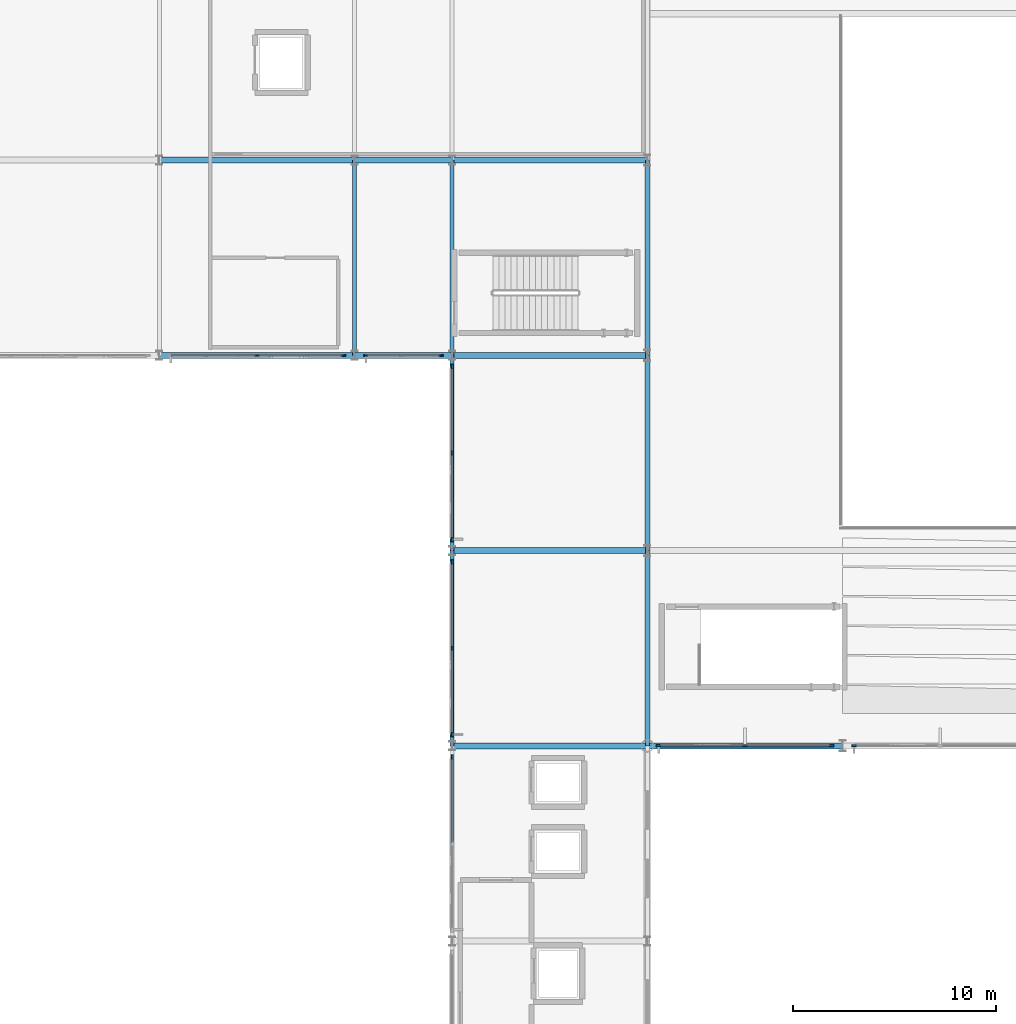
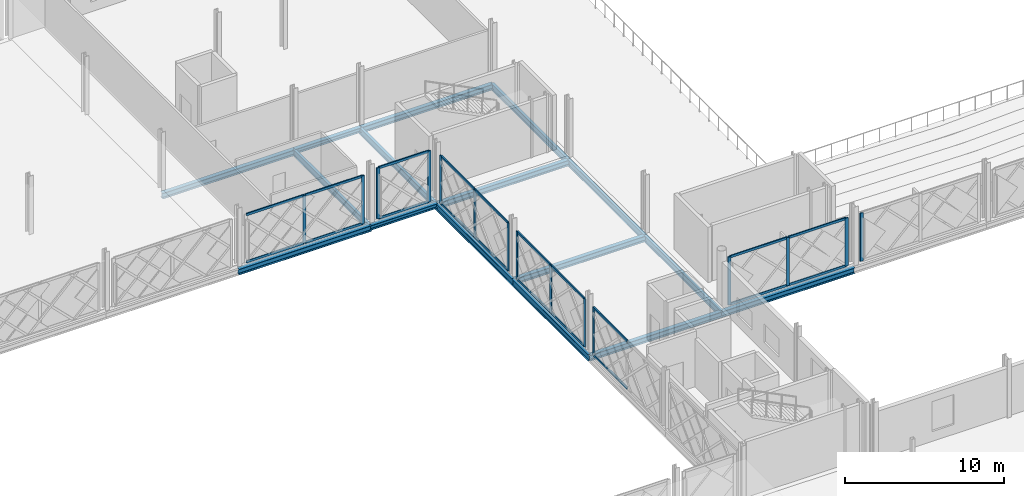
# One storey, part 48 of 101: 35 members, 16 beams, 7 elements without a shape of their own.
"""IFC4 building model written with IfcOpenShell, lengths in metres."""

from ifc_helpers import new_model, si_unit, direction, frame, origin, origin_2d, place, context, subcontext, project, spatial, rectangle, i_section, extrude, material, layer, layer_set, material_profile, profile_set, type_object, element, aggregate, save


model = new_model("IFC4")

# Units and contexts
model_context = context("Model", 3, precision=1e-05, world=origin(), true_north=direction((0.0, 1.0)))
body_context = subcontext(model_context, "Body", "Model", "MODEL_VIEW")
ifc_project = project(units=[si_unit("LENGTHUNIT", "METRE"), si_unit("AREAUNIT", "SQUARE_METRE"), si_unit("VOLUMEUNIT", "CUBIC_METRE"), si_unit("PLANEANGLEUNIT", "RADIAN"), si_unit("MASSUNIT", "GRAM", prefix="KILO")], contexts=[model_context])

# Site, building, storey
site_placement = place(None, origin())
site = spatial("IfcSite", under=ifc_project, at=site_placement, CompositionType="ELEMENT")
building_placement = place(site_placement, origin())
building = spatial("IfcBuilding", under=site, at=building_placement, Name="Zevrakil Square Congress Hotel", CompositionType="ELEMENT")
storey_placement = place(building_placement, frame((0.0, 0.0, 5.39990234375)))
storey = spatial("IfcBuildingStorey", under=building, at=storey_placement, Name="L02", CompositionType="ELEMENT", Elevation=5.39990234375)

# Beams
ifc_material_1 = material(Name="Steel S355", Category="steel")
ifc_material_profile_1 = material_profile(ifc_material_1, i_section(OverallWidth=0.300048828125, OverallDepth=0.35009765625, WebThickness=0.010009765625, FlangeThickness=0.017578125, FilletRadius=0.027099609375, at=origin_2d()), Name="HEA 360")
ifc_profile_set_1 = profile_set([ifc_material_profile_1], Name="Steel S355")
beam_type_1 = type_object("IfcBeamType", Name="BM-HEA360", PredefinedType="BEAM", material=ifc_profile_set_1)
for number, where, z_axis, x_axis, name in (
    (1, (103.199951171875, 84.0, -0.434814453125), (1.0, 0.0, 0.0), (0.0, 1.0, 0.0), "L02 primary girder BX-0776"),
    (2, (103.199951171875, 93.60009765625, -0.434814453125), (1.0, 0.0, 0.0), (0.0, 1.0, 0.0), "L02 primary girder BX-0786"),
):
    element("IfcBeam", number, at=place(storey_placement, frame(where, z_axis=z_axis, x_axis=x_axis)), inside=storey, type_object=beam_type_1, Name=name, PredefinedType="BEAM", context=body_context, shape_type="SweptSolid", body=[
        extrude(i_section(OverallWidth=0.300048828125, OverallDepth=0.35009765625, WebThickness=0.010009765625, FlangeThickness=0.017578125, FilletRadius=0.027099609375, at=origin_2d()), origin(), (0.0, 0.0, 1.0), 4.800048828125),
    ])
ifc_material_2 = material(Name="Steel S355", Category="steel")
ifc_material_profile_2 = material_profile(ifc_material_2, i_section(OverallWidth=0.300048828125, OverallDepth=0.43994140625, WebThickness=0.011474609375, FlangeThickness=0.02099609375, FilletRadius=0.027099609375, at=origin_2d()), Name="HEA 450")
ifc_profile_set_2 = profile_set([ifc_material_profile_2], Name="Steel S355")
beam_type_2 = type_object("IfcBeamType", Name="BM-HEA450", PredefinedType="BEAM", material=ifc_profile_set_2)
beam_1_placement = place(storey_placement, frame((108.0, 64.800048828125, -0.47998046875), z_axis=(1.0, 0.0, 0.0), x_axis=(0.0, 1.0, 0.0)))
element("IfcBeam", 3, at=beam_1_placement, inside=storey, type_object=beam_type_2, Name="L02 primary girder BX-0753", PredefinedType="BEAM", context=body_context, shape_type="SweptSolid", body=[
    extrude(i_section(OverallWidth=0.300048828125, OverallDepth=0.43994140625, WebThickness=0.011474609375, FlangeThickness=0.02099609375, FilletRadius=0.027099609375, at=origin_2d()), origin(), (0.0, 0.0, 1.0), 9.60009765625),
])
beam_2_placement = place(storey_placement, frame((117.60009765625, 64.800048828125, -0.47998046875), z_axis=(1.0, 0.0, 0.0), x_axis=(0.0, 1.0, 0.0)))
element("IfcBeam", 4, at=beam_2_placement, inside=storey, type_object=beam_type_2, Name="L02 primary girder BX-0754", PredefinedType="BEAM", context=body_context, shape_type="SweptSolid", body=[
    extrude(i_section(OverallWidth=0.300048828125, OverallDepth=0.43994140625, WebThickness=0.011474609375, FlangeThickness=0.02099609375, FilletRadius=0.027099609375, at=origin_2d()), origin(), (0.0, 0.0, 1.0), 9.599853515625),
])
beam_3_placement = place(storey_placement, frame((108.0, 74.39990234375, -0.47998046875), z_axis=(1.0, 0.0, 0.0), x_axis=(0.0, 1.0, 0.0)))
element("IfcBeam", 5, at=beam_3_placement, inside=storey, type_object=beam_type_2, Name="L02 primary girder BX-0767", PredefinedType="BEAM", context=body_context, shape_type="SweptSolid", body=[
    extrude(i_section(OverallWidth=0.300048828125, OverallDepth=0.43994140625, WebThickness=0.011474609375, FlangeThickness=0.02099609375, FilletRadius=0.027099609375, at=origin_2d()), origin(), (0.0, 0.0, 1.0), 9.60009765625),
])
beam_4_placement = place(storey_placement, frame((93.60009765625, 84.0, -0.47998046875), z_axis=(1.0, 0.0, 0.0), x_axis=(0.0, 1.0, 0.0)))
element("IfcBeam", 6, at=beam_4_placement, inside=storey, type_object=beam_type_2, Name="L02 primary girder BX-0775", PredefinedType="BEAM", context=body_context, shape_type="SweptSolid", body=[
    extrude(i_section(OverallWidth=0.300048828125, OverallDepth=0.43994140625, WebThickness=0.011474609375, FlangeThickness=0.02099609375, FilletRadius=0.027099609375, at=origin_2d()), origin(), (0.0, 0.0, 1.0), 9.599853515625),
])
beam_5_placement = place(storey_placement, frame((108.0, 84.0, -0.47998046875), z_axis=(1.0, 0.0, 0.0), x_axis=(0.0, 1.0, 0.0)))
element("IfcBeam", 7, at=beam_5_placement, inside=storey, type_object=beam_type_2, Name="L02 primary girder BX-0777", PredefinedType="BEAM", context=body_context, shape_type="SweptSolid", body=[
    extrude(i_section(OverallWidth=0.300048828125, OverallDepth=0.43994140625, WebThickness=0.011474609375, FlangeThickness=0.02099609375, FilletRadius=0.027099609375, at=origin_2d()), origin(), (0.0, 0.0, 1.0), 9.60009765625),
])
beam_6_placement = place(storey_placement, frame((93.60009765625, 93.60009765625, -0.47998046875), z_axis=(1.0, 0.0, 0.0), x_axis=(0.0, 1.0, 0.0)))
element("IfcBeam", 8, at=beam_6_placement, inside=storey, type_object=beam_type_2, Name="L02 primary girder BX-0785", PredefinedType="BEAM", context=body_context, shape_type="SweptSolid", body=[
    extrude(i_section(OverallWidth=0.300048828125, OverallDepth=0.43994140625, WebThickness=0.011474609375, FlangeThickness=0.02099609375, FilletRadius=0.027099609375, at=origin_2d()), origin(), (0.0, 0.0, 1.0), 9.599853515625),
])
beam_7_placement = place(storey_placement, frame((108.0, 93.60009765625, -0.47998046875), z_axis=(1.0, 0.0, 0.0), x_axis=(0.0, 1.0, 0.0)))
element("IfcBeam", 9, at=beam_7_placement, inside=storey, type_object=beam_type_2, Name="L02 primary girder BX-0787", PredefinedType="BEAM", context=body_context, shape_type="SweptSolid", body=[
    extrude(i_section(OverallWidth=0.300048828125, OverallDepth=0.43994140625, WebThickness=0.011474609375, FlangeThickness=0.02099609375, FilletRadius=0.027099609375, at=origin_2d()), origin(), (0.0, 0.0, 1.0), 9.60009765625),
])
ifc_material_3 = material(Name="Steel S355", Category="steel")
ifc_material_profile_3 = material_profile(ifc_material_3, i_section(OverallWidth=0.199951171875, OverallDepth=0.5, WebThickness=0.01025390625, FlangeThickness=0.01611328125, FilletRadius=0.02099609375, at=origin_2d()), Name="IPE 500")
ifc_profile_set_3 = profile_set([ifc_material_profile_3], Name="Steel S355")
beam_type_3 = type_object("IfcBeamType", Name="BM-IPE500", PredefinedType="BEAM", material=ifc_profile_set_3)
beam_8_placement = place(storey_placement, frame((103.199951171875, 84.0, -0.510009765625), z_axis=(0.0, 1.0, 0.0), x_axis=(-1.0, 0.0, 0.0)))
element("IfcBeam", 10, at=beam_8_placement, inside=storey, type_object=beam_type_3, Name="L02 primary girder BY-0905", PredefinedType="BEAM", context=body_context, shape_type="SweptSolid", body=[
    extrude(i_section(OverallWidth=0.199951171875, OverallDepth=0.5, WebThickness=0.01025390625, FlangeThickness=0.01611328125, FilletRadius=0.02099609375, at=origin_2d()), origin(), (0.0, 0.0, 1.0), 9.60009765625),
])
beam_9_placement = place(storey_placement, frame((108.0, 64.800048828125, -0.510009765625), z_axis=(0.0, 1.0, 0.0), x_axis=(-1.0, 0.0, 0.0)))
element("IfcBeam", 11, at=beam_9_placement, inside=storey, type_object=beam_type_3, Name="L02 primary girder BY-0915", PredefinedType="BEAM", context=body_context, shape_type="SweptSolid", body=[
    extrude(i_section(OverallWidth=0.199951171875, OverallDepth=0.5, WebThickness=0.01025390625, FlangeThickness=0.01611328125, FilletRadius=0.02099609375, at=origin_2d()), origin(), (0.0, 0.0, 1.0), 9.599853515625),
])
for number, where, z_axis, x_axis, name in (
    (12, (108.0, 74.39990234375, -0.510009765625), (0.0, 1.0, 0.0), (-1.0, 0.0, 0.0), "L02 primary girder BY-0916"),
    (13, (108.0, 84.0, -0.510009765625), (0.0, 1.0, 0.0), (-1.0, 0.0, 0.0), "L02 primary girder BY-0917"),
):
    element("IfcBeam", number, at=place(storey_placement, frame(where, z_axis=z_axis, x_axis=x_axis)), inside=storey, type_object=beam_type_3, Name=name, PredefinedType="BEAM", context=body_context, shape_type="SweptSolid", body=[
        extrude(i_section(OverallWidth=0.199951171875, OverallDepth=0.5, WebThickness=0.01025390625, FlangeThickness=0.01611328125, FilletRadius=0.02099609375, at=origin_2d()), origin(), (0.0, 0.0, 1.0), 9.60009765625),
    ])
beam_10_placement = place(storey_placement, frame((117.60009765625, 64.800048828125, -0.510009765625), z_axis=(0.0, 1.0, 0.0), x_axis=(-1.0, 0.0, 0.0)))
element("IfcBeam", 14, at=beam_10_placement, inside=storey, type_object=beam_type_3, Name="L02 primary girder BY-0927", PredefinedType="BEAM", context=body_context, shape_type="SweptSolid", body=[
    extrude(i_section(OverallWidth=0.199951171875, OverallDepth=0.5, WebThickness=0.01025390625, FlangeThickness=0.01611328125, FilletRadius=0.02099609375, at=origin_2d()), origin(), (0.0, 0.0, 1.0), 9.599853515625),
])
for number, where, z_axis, x_axis, name in (
    (15, (117.60009765625, 74.39990234375, -0.510009765625), (0.0, 1.0, 0.0), (-1.0, 0.0, 0.0), "L02 primary girder BY-0928"),
    (16, (117.60009765625, 84.0, -0.510009765625), (0.0, 1.0, 0.0), (-1.0, 0.0, 0.0), "L02 primary girder BY-0929"),
):
    element("IfcBeam", number, at=place(storey_placement, frame(where, z_axis=z_axis, x_axis=x_axis)), inside=storey, type_object=beam_type_3, Name=name, PredefinedType="BEAM", context=body_context, shape_type="SweptSolid", body=[
        extrude(i_section(OverallWidth=0.199951171875, OverallDepth=0.5, WebThickness=0.01025390625, FlangeThickness=0.01611328125, FilletRadius=0.02099609375, at=origin_2d()), origin(), (0.0, 0.0, 1.0), 9.60009765625),
    ])

# Curtain wall, members
ifc_material_4 = material(Name="Aluminium Anodised Bronze", Category="aluminium")
ifc_layer_1 = layer(ifc_material_4, 0.179931640625)
ifc_layer_set_1 = layer_set([ifc_layer_1], Name="Aluminium Anodised Bronze")
curtain_wall_type_1 = type_object("IfcCurtainWallType", Name="CW-L02-840", PredefinedType="USERDEFINED", material=ifc_layer_set_1)
curtain_wall_1_placement = place(storey_placement, origin())
curtain_wall_1 = element("IfcCurtainWall", 17, at=curtain_wall_1_placement, inside=storey, type_object=curtain_wall_type_1, Name="L02 diamond curtain wall CW-L02-0057", ObjectType="GLAZED CURTAIN WALL", PredefinedType="USERDEFINED")
ifc_material_5 = material(Name="Aluminium Anodised Bronze", Category="aluminium")
ifc_material_profile_4 = material_profile(ifc_material_5, rectangle(XDim=0.0849609375, YDim=0.179931640625, at=origin_2d()), Name="ALU 85x180")
ifc_profile_set_4 = profile_set([ifc_material_profile_4], Name="Aluminium Anodised Bronze")
member_type_1 = type_object("IfcMemberType", Name="CWM-ALU85x180", PredefinedType="USERDEFINED", material=ifc_profile_set_4)
member_1_placement = place(storey_placement, frame((118.179931640625, 64.800048828125, 0.030029296875), z_axis=(1.0, 0.0, 0.0), x_axis=(0.0, 1.0, 0.0)))
member_1 = element("IfcMember", 18, at=member_1_placement, type_object=member_type_1, Name="CW-23 transom 1.1", ObjectType="TRANSOM", PredefinedType="USERDEFINED", context=body_context, shape_type="SweptSolid", body=[
    extrude(rectangle(XDim=0.0849609375, YDim=0.179931640625, at=origin_2d()), origin(), (0.0, 0.0, 1.0), 4.190185546875),
])
member_2_placement = place(storey_placement, frame((118.179931640625, 64.800048828125, 3.655029296875), z_axis=(1.0, 0.0, 0.0), x_axis=(0.0, 1.0, 0.0)))
member_2 = element("IfcMember", 19, at=member_2_placement, type_object=member_type_1, Name="CW-23 transom 1.2", ObjectType="TRANSOM", PredefinedType="USERDEFINED", context=body_context, shape_type="SweptSolid", body=[
    extrude(rectangle(XDim=0.0849609375, YDim=0.179931640625, at=origin_2d()), origin(), (0.0, 0.0, 1.0), 4.190185546875),
])
member_3_placement = place(storey_placement, frame((122.429931640625, 64.800048828125, 0.030029296875), z_axis=(1.0, 0.0, 0.0), x_axis=(0.0, 1.0, 0.0)))
member_3 = element("IfcMember", 20, at=member_3_placement, type_object=member_type_1, Name="CW-23 transom 2.1", ObjectType="TRANSOM", PredefinedType="USERDEFINED", context=body_context, shape_type="SweptSolid", body=[
    extrude(rectangle(XDim=0.0849609375, YDim=0.179931640625, at=origin_2d()), origin(), (0.0, 0.0, 1.0), 4.190185546875),
])
member_4_placement = place(storey_placement, frame((122.429931640625, 64.800048828125, 3.655029296875), z_axis=(1.0, 0.0, 0.0), x_axis=(0.0, 1.0, 0.0)))
member_4 = element("IfcMember", 21, at=member_4_placement, type_object=member_type_1, Name="CW-23 transom 2.2", ObjectType="TRANSOM", PredefinedType="USERDEFINED", context=body_context, shape_type="SweptSolid", body=[
    extrude(rectangle(XDim=0.0849609375, YDim=0.179931640625, at=origin_2d()), origin(), (0.0, 0.0, 1.0), 4.190185546875),
])

curtain_wall_2_placement = place(storey_placement, origin())
curtain_wall_2 = element("IfcCurtainWall", 22, at=curtain_wall_2_placement, inside=storey, type_object=curtain_wall_type_1, Name="L02 diamond curtain wall CW-L02-0113", ObjectType="GLAZED CURTAIN WALL", PredefinedType="USERDEFINED")
member_5_placement = place(storey_placement, frame((94.179931640625, 84.0, 0.030029296875), z_axis=(1.0, 0.0, 0.0), x_axis=(0.0, 1.0, 0.0)))
member_5 = element("IfcMember", 23, at=member_5_placement, type_object=member_type_1, Name="CW-23 transom 1.1", ObjectType="TRANSOM", PredefinedType="USERDEFINED", context=body_context, shape_type="SweptSolid", body=[
    extrude(rectangle(XDim=0.0849609375, YDim=0.179931640625, at=origin_2d()), origin(), (0.0, 0.0, 1.0), 4.190185546875),
])
member_6_placement = place(storey_placement, frame((94.179931640625, 84.0, 3.655029296875), z_axis=(1.0, 0.0, 0.0), x_axis=(0.0, 1.0, 0.0)))
member_6 = element("IfcMember", 24, at=member_6_placement, type_object=member_type_1, Name="CW-23 transom 1.2", ObjectType="TRANSOM", PredefinedType="USERDEFINED", context=body_context, shape_type="SweptSolid", body=[
    extrude(rectangle(XDim=0.0849609375, YDim=0.179931640625, at=origin_2d()), origin(), (0.0, 0.0, 1.0), 4.190185546875),
])
member_7_placement = place(storey_placement, frame((98.429931640625, 84.0, 0.030029296875), z_axis=(1.0, 0.0, 0.0), x_axis=(0.0, 1.0, 0.0)))
member_7 = element("IfcMember", 25, at=member_7_placement, type_object=member_type_1, Name="CW-23 transom 2.1", ObjectType="TRANSOM", PredefinedType="USERDEFINED", context=body_context, shape_type="SweptSolid", body=[
    extrude(rectangle(XDim=0.0849609375, YDim=0.179931640625, at=origin_2d()), origin(), (0.0, 0.0, 1.0), 4.190185546875),
])
member_8_placement = place(storey_placement, frame((98.429931640625, 84.0, 3.655029296875), z_axis=(1.0, 0.0, 0.0), x_axis=(0.0, 1.0, 0.0)))
member_8 = element("IfcMember", 26, at=member_8_placement, type_object=member_type_1, Name="CW-23 transom 2.2", ObjectType="TRANSOM", PredefinedType="USERDEFINED", context=body_context, shape_type="SweptSolid", body=[
    extrude(rectangle(XDim=0.0849609375, YDim=0.179931640625, at=origin_2d()), origin(), (0.0, 0.0, 1.0), 4.190185546875),
])

ifc_material_6 = material(Name="Aluminium Anodised Bronze", Category="aluminium")
ifc_layer_2 = layer(ifc_material_6, 0.179931640625)
ifc_layer_set_2 = layer_set([ifc_layer_2], Name="Aluminium Anodised Bronze")
curtain_wall_type_2 = type_object("IfcCurtainWallType", Name="CW-L02-360", PredefinedType="USERDEFINED", material=ifc_layer_set_2)
curtain_wall_3_placement = place(storey_placement, origin())
curtain_wall_3 = element("IfcCurtainWall", 27, at=curtain_wall_3_placement, inside=storey, type_object=curtain_wall_type_2, Name="L02 diamond curtain wall CW-L02-0117", ObjectType="GLAZED CURTAIN WALL", PredefinedType="USERDEFINED")
member_9_placement = place(storey_placement, frame((103.780029296875, 84.0, 0.030029296875), z_axis=(1.0, 0.0, 0.0), x_axis=(0.0, 1.0, 0.0)))
member_9 = element("IfcMember", 28, at=member_9_placement, type_object=member_type_1, Name="CW-16 transom 1.1", ObjectType="TRANSOM", PredefinedType="USERDEFINED", context=body_context, shape_type="SweptSolid", body=[
    extrude(rectangle(XDim=0.0849609375, YDim=0.179931640625, at=origin_2d()), origin(), (0.0, 0.0, 1.0), 3.639892578125),
])
member_10_placement = place(storey_placement, frame((103.780029296875, 84.0, 3.885009765625), z_axis=(1.0, 0.0, 0.0), x_axis=(0.0, 1.0, 0.0)))
member_10 = element("IfcMember", 29, at=member_10_placement, type_object=member_type_1, Name="CW-16 transom 1.2", ObjectType="TRANSOM", PredefinedType="USERDEFINED", context=body_context, shape_type="SweptSolid", body=[
    extrude(rectangle(XDim=0.0849609375, YDim=0.179931640625, at=origin_2d()), origin(), (0.0, 0.0, 1.0), 3.639892578125),
])

curtain_wall_4_placement = place(storey_placement, origin())
curtain_wall_4 = element("IfcCurtainWall", 30, at=curtain_wall_4_placement, inside=storey, type_object=curtain_wall_type_1, Name="L02 diamond curtain wall CW-L02-0129", ObjectType="GLAZED CURTAIN WALL", PredefinedType="USERDEFINED")
member_11_placement = place(storey_placement, frame((108.0, 60.030029296875, 0.030029296875), z_axis=(0.0, 1.0, 0.0), x_axis=(-1.0, 0.0, 0.0)))
member_11 = element("IfcMember", 31, at=member_11_placement, type_object=member_type_1, Name="CW-23 transom 2.1", ObjectType="TRANSOM", PredefinedType="USERDEFINED", context=body_context, shape_type="SweptSolid", body=[
    extrude(rectangle(XDim=0.0849609375, YDim=0.179931640625, at=origin_2d()), origin(), (0.0, 0.0, 1.0), 4.18994140625),
])
member_12_placement = place(storey_placement, frame((108.0, 60.030029296875, 3.64501953125), z_axis=(0.0, 1.0, 0.0), x_axis=(-1.0, 0.0, 0.0)))
member_12 = element("IfcMember", 32, at=member_12_placement, type_object=member_type_1, Name="CW-23 transom 2.2", ObjectType="TRANSOM", PredefinedType="USERDEFINED", context=body_context, shape_type="SweptSolid", body=[
    extrude(rectangle(XDim=0.0849609375, YDim=0.179931640625, at=origin_2d()), origin(), (0.0, 0.0, 1.0), 4.18994140625),
])

curtain_wall_5_placement = place(storey_placement, origin())
curtain_wall_5 = element("IfcCurtainWall", 33, at=curtain_wall_5_placement, inside=storey, type_object=curtain_wall_type_1, Name="L02 diamond curtain wall CW-L02-0135", ObjectType="GLAZED CURTAIN WALL", PredefinedType="USERDEFINED")
member_13_placement = place(storey_placement, frame((108.0, 65.3798828125, 0.030029296875), z_axis=(0.0, 1.0, 0.0), x_axis=(-1.0, 0.0, 0.0)))
member_13 = element("IfcMember", 34, at=member_13_placement, type_object=member_type_1, Name="CW-23 transom 1.1", ObjectType="TRANSOM", PredefinedType="USERDEFINED", context=body_context, shape_type="SweptSolid", body=[
    extrude(rectangle(XDim=0.0849609375, YDim=0.179931640625, at=origin_2d()), origin(), (0.0, 0.0, 1.0), 4.190185546875),
])
member_14_placement = place(storey_placement, frame((108.0, 65.3798828125, 3.64501953125), z_axis=(0.0, 1.0, 0.0), x_axis=(-1.0, 0.0, 0.0)))
member_14 = element("IfcMember", 35, at=member_14_placement, type_object=member_type_1, Name="CW-23 transom 1.2", ObjectType="TRANSOM", PredefinedType="USERDEFINED", context=body_context, shape_type="SweptSolid", body=[
    extrude(rectangle(XDim=0.0849609375, YDim=0.179931640625, at=origin_2d()), origin(), (0.0, 0.0, 1.0), 4.190185546875),
])
member_15_placement = place(storey_placement, frame((108.0, 69.6298828125, 0.030029296875), z_axis=(0.0, 1.0, 0.0), x_axis=(-1.0, 0.0, 0.0)))
member_15 = element("IfcMember", 36, at=member_15_placement, type_object=member_type_1, Name="CW-23 transom 2.1", ObjectType="TRANSOM", PredefinedType="USERDEFINED", context=body_context, shape_type="SweptSolid", body=[
    extrude(rectangle(XDim=0.0849609375, YDim=0.179931640625, at=origin_2d()), origin(), (0.0, 0.0, 1.0), 4.190185546875),
])
member_16_placement = place(storey_placement, frame((108.0, 69.6298828125, 3.64501953125), z_axis=(0.0, 1.0, 0.0), x_axis=(-1.0, 0.0, 0.0)))
member_16 = element("IfcMember", 37, at=member_16_placement, type_object=member_type_1, Name="CW-23 transom 2.2", ObjectType="TRANSOM", PredefinedType="USERDEFINED", context=body_context, shape_type="SweptSolid", body=[
    extrude(rectangle(XDim=0.0849609375, YDim=0.179931640625, at=origin_2d()), origin(), (0.0, 0.0, 1.0), 4.190185546875),
])

curtain_wall_6_placement = place(storey_placement, origin())
curtain_wall_6 = element("IfcCurtainWall", 38, at=curtain_wall_6_placement, inside=storey, type_object=curtain_wall_type_1, Name="L02 diamond curtain wall CW-L02-0141", ObjectType="GLAZED CURTAIN WALL", PredefinedType="USERDEFINED")
member_17_placement = place(storey_placement, frame((108.0, 74.97998046875, 0.030029296875), z_axis=(0.0, 1.0, 0.0), x_axis=(-1.0, 0.0, 0.0)))
member_17 = element("IfcMember", 39, at=member_17_placement, type_object=member_type_1, Name="CW-23 transom 1.1", ObjectType="TRANSOM", PredefinedType="USERDEFINED", context=body_context, shape_type="SweptSolid", body=[
    extrude(rectangle(XDim=0.0849609375, YDim=0.179931640625, at=origin_2d()), origin(), (0.0, 0.0, 1.0), 4.18994140625),
])
member_18_placement = place(storey_placement, frame((108.0, 74.97998046875, 3.64501953125), z_axis=(0.0, 1.0, 0.0), x_axis=(-1.0, 0.0, 0.0)))
member_18 = element("IfcMember", 40, at=member_18_placement, type_object=member_type_1, Name="CW-23 transom 1.2", ObjectType="TRANSOM", PredefinedType="USERDEFINED", context=body_context, shape_type="SweptSolid", body=[
    extrude(rectangle(XDim=0.0849609375, YDim=0.179931640625, at=origin_2d()), origin(), (0.0, 0.0, 1.0), 4.18994140625),
])
member_19_placement = place(storey_placement, frame((108.0, 79.22998046875, 0.030029296875), z_axis=(0.0, 1.0, 0.0), x_axis=(-1.0, 0.0, 0.0)))
member_19 = element("IfcMember", 41, at=member_19_placement, type_object=member_type_1, Name="CW-23 transom 2.1", ObjectType="TRANSOM", PredefinedType="USERDEFINED", context=body_context, shape_type="SweptSolid", body=[
    extrude(rectangle(XDim=0.0849609375, YDim=0.179931640625, at=origin_2d()), origin(), (0.0, 0.0, 1.0), 4.18994140625),
])
member_20_placement = place(storey_placement, frame((108.0, 79.22998046875, 3.64501953125), z_axis=(0.0, 1.0, 0.0), x_axis=(-1.0, 0.0, 0.0)))
member_20 = element("IfcMember", 42, at=member_20_placement, type_object=member_type_1, Name="CW-23 transom 2.2", ObjectType="TRANSOM", PredefinedType="USERDEFINED", context=body_context, shape_type="SweptSolid", body=[
    extrude(rectangle(XDim=0.0849609375, YDim=0.179931640625, at=origin_2d()), origin(), (0.0, 0.0, 1.0), 4.18994140625),
])

# Member
ifc_material_7 = material(Name="Aluminium Anodised Bronze", Category="aluminium")
ifc_material_profile_5 = material_profile(ifc_material_7, rectangle(XDim=0.0849609375, YDim=0.219970703125, at=origin_2d()), Name="ALU 85x220")
ifc_profile_set_5 = profile_set([ifc_material_profile_5], Name="Aluminium Anodised Bronze")
member_type_2 = type_object("IfcMemberType", Name="CWM-ALU85x220", PredefinedType="MULLION", material=ifc_profile_set_5)
member_21_placement = place(storey_placement, frame((118.14990234375, 64.800048828125, 0.0), z_axis=(0.0, 0.0, 1.0), x_axis=(0.0, 1.0, 0.0)))
member_21 = element("IfcMember", 43, at=member_21_placement, type_object=member_type_2, Name="CW-23 mullion 1", PredefinedType="MULLION", context=body_context, shape_type="SweptSolid", body=[
    extrude(rectangle(XDim=0.0849609375, YDim=0.219970703125, at=origin_2d()), origin(), (0.0, 0.0, 1.0), 3.68505859375),
])

member_22_placement = place(storey_placement, frame((122.39990234375, 64.800048828125, 0.0), z_axis=(0.0, 0.0, 1.0), x_axis=(0.0, 1.0, 0.0)))
member_22 = element("IfcMember", 44, at=member_22_placement, type_object=member_type_2, Name="CW-23 mullion 2", PredefinedType="MULLION", context=body_context, shape_type="SweptSolid", body=[
    extrude(rectangle(XDim=0.0849609375, YDim=0.219970703125, at=origin_2d()), origin(), (0.0, 0.0, 1.0), 3.68505859375),
])

member_23_placement = place(storey_placement, frame((126.64990234375, 64.800048828125, 0.0), z_axis=(0.0, 0.0, 1.0), x_axis=(0.0, 1.0, 0.0)))
member_23 = element("IfcMember", 45, at=member_23_placement, type_object=member_type_2, Name="CW-23 mullion 3", PredefinedType="MULLION", context=body_context, shape_type="SweptSolid", body=[
    extrude(rectangle(XDim=0.0849609375, YDim=0.219970703125, at=origin_2d()), origin(), (0.0, 0.0, 1.0), 3.68505859375),
])

aggregate(curtain_wall_1, [member_21, member_22, member_23, member_1, member_2, member_3, member_4])

# Curtain wall, member
curtain_wall_7_placement = place(storey_placement, origin())
curtain_wall_7 = element("IfcCurtainWall", 46, at=curtain_wall_7_placement, inside=storey, type_object=curtain_wall_type_1, Name="L02 diamond curtain wall CW-L02-0059", ObjectType="GLAZED CURTAIN WALL", PredefinedType="USERDEFINED")
member_24_placement = place(storey_placement, frame((127.75, 64.800048828125, 0.0), z_axis=(0.0, 0.0, 1.0), x_axis=(0.0, 1.0, 0.0)))
member_24 = element("IfcMember", 47, at=member_24_placement, type_object=member_type_2, Name="CW-23 mullion 1", PredefinedType="MULLION", context=body_context, shape_type="SweptSolid", body=[
    extrude(rectangle(XDim=0.0849609375, YDim=0.219970703125, at=origin_2d()), origin(), (0.0, 0.0, 1.0), 3.68505859375),
])
aggregate(curtain_wall_7, [member_24])

# Member
member_25_placement = place(storey_placement, frame((98.39990234375, 84.0, 0.0), z_axis=(0.0, 0.0, 1.0), x_axis=(0.0, 1.0, 0.0)))
member_25 = element("IfcMember", 48, at=member_25_placement, type_object=member_type_2, Name="CW-23 mullion 2", PredefinedType="MULLION", context=body_context, shape_type="SweptSolid", body=[
    extrude(rectangle(XDim=0.0849609375, YDim=0.219970703125, at=origin_2d()), origin(), (0.0, 0.0, 1.0), 3.68505859375),
])

member_26_placement = place(storey_placement, frame((102.64990234375, 84.0, 0.0), z_axis=(0.0, 0.0, 1.0), x_axis=(0.0, 1.0, 0.0)))
member_26 = element("IfcMember", 49, at=member_26_placement, type_object=member_type_2, Name="CW-23 mullion 3", PredefinedType="MULLION", context=body_context, shape_type="SweptSolid", body=[
    extrude(rectangle(XDim=0.0849609375, YDim=0.219970703125, at=origin_2d()), origin(), (0.0, 0.0, 1.0), 3.68505859375),
])

aggregate(curtain_wall_2, [member_25, member_26, member_5, member_6, member_7, member_8])

member_27_placement = place(storey_placement, frame((103.75, 84.0, 0.0), z_axis=(0.0, 0.0, 1.0), x_axis=(0.0, 1.0, 0.0)))
member_27 = element("IfcMember", 50, at=member_27_placement, type_object=member_type_2, Name="CW-16 mullion 1", PredefinedType="MULLION", context=body_context, shape_type="SweptSolid", body=[
    extrude(rectangle(XDim=0.0849609375, YDim=0.219970703125, at=origin_2d()), origin(), (0.0, 0.0, 1.0), 3.9150390625),
])

member_28_placement = place(storey_placement, frame((107.449951171875, 84.0, 0.0), z_axis=(0.0, 0.0, 1.0), x_axis=(0.0, 1.0, 0.0)))
member_28 = element("IfcMember", 51, at=member_28_placement, type_object=member_type_2, Name="CW-16 mullion 2", PredefinedType="MULLION", context=body_context, shape_type="SweptSolid", body=[
    extrude(rectangle(XDim=0.0849609375, YDim=0.219970703125, at=origin_2d()), origin(), (0.0, 0.0, 1.0), 3.9150390625),
])

aggregate(curtain_wall_3, [member_27, member_28, member_9, member_10])

member_29_placement = place(storey_placement, frame((108.0, 64.25, 0.0), z_axis=(0.0, 0.0, 1.0), x_axis=(-1.0, 0.0, 0.0)))
member_29 = element("IfcMember", 52, at=member_29_placement, type_object=member_type_2, Name="CW-23 mullion 3", PredefinedType="MULLION", context=body_context, shape_type="SweptSolid", body=[
    extrude(rectangle(XDim=0.0849609375, YDim=0.219970703125, at=origin_2d()), origin(), (0.0, 0.0, 1.0), 3.675048828125),
])

aggregate(curtain_wall_4, [member_29, member_11, member_12])

member_30_placement = place(storey_placement, frame((108.0, 65.35009765625, 0.0), z_axis=(0.0, 0.0, 1.0), x_axis=(-1.0, 0.0, 0.0)))
member_30 = element("IfcMember", 53, at=member_30_placement, type_object=member_type_2, Name="CW-23 mullion 1", PredefinedType="MULLION", context=body_context, shape_type="SweptSolid", body=[
    extrude(rectangle(XDim=0.0849609375, YDim=0.219970703125, at=origin_2d()), origin(), (0.0, 0.0, 1.0), 3.675048828125),
])

member_31_placement = place(storey_placement, frame((108.0, 69.60009765625, 0.0), z_axis=(0.0, 0.0, 1.0), x_axis=(-1.0, 0.0, 0.0)))
member_31 = element("IfcMember", 54, at=member_31_placement, type_object=member_type_2, Name="CW-23 mullion 2", PredefinedType="MULLION", context=body_context, shape_type="SweptSolid", body=[
    extrude(rectangle(XDim=0.0849609375, YDim=0.219970703125, at=origin_2d()), origin(), (0.0, 0.0, 1.0), 3.675048828125),
])

member_32_placement = place(storey_placement, frame((108.0, 73.85009765625, 0.0), z_axis=(0.0, 0.0, 1.0), x_axis=(-1.0, 0.0, 0.0)))
member_32 = element("IfcMember", 55, at=member_32_placement, type_object=member_type_2, Name="CW-23 mullion 3", PredefinedType="MULLION", context=body_context, shape_type="SweptSolid", body=[
    extrude(rectangle(XDim=0.0849609375, YDim=0.219970703125, at=origin_2d()), origin(), (0.0, 0.0, 1.0), 3.675048828125),
])

aggregate(curtain_wall_5, [member_30, member_31, member_32, member_13, member_14, member_15, member_16])

member_33_placement = place(storey_placement, frame((108.0, 74.949951171875, 0.0), z_axis=(0.0, 0.0, 1.0), x_axis=(-1.0, 0.0, 0.0)))
member_33 = element("IfcMember", 56, at=member_33_placement, type_object=member_type_2, Name="CW-23 mullion 1", PredefinedType="MULLION", context=body_context, shape_type="SweptSolid", body=[
    extrude(rectangle(XDim=0.0849609375, YDim=0.219970703125, at=origin_2d()), origin(), (0.0, 0.0, 1.0), 3.675048828125),
])

member_34_placement = place(storey_placement, frame((108.0, 79.199951171875, 0.0), z_axis=(0.0, 0.0, 1.0), x_axis=(-1.0, 0.0, 0.0)))
member_34 = element("IfcMember", 57, at=member_34_placement, type_object=member_type_2, Name="CW-23 mullion 2", PredefinedType="MULLION", context=body_context, shape_type="SweptSolid", body=[
    extrude(rectangle(XDim=0.0849609375, YDim=0.219970703125, at=origin_2d()), origin(), (0.0, 0.0, 1.0), 3.675048828125),
])

member_35_placement = place(storey_placement, frame((108.0, 83.449951171875, 0.0), z_axis=(0.0, 0.0, 1.0), x_axis=(-1.0, 0.0, 0.0)))
member_35 = element("IfcMember", 58, at=member_35_placement, type_object=member_type_2, Name="CW-23 mullion 3", PredefinedType="MULLION", context=body_context, shape_type="SweptSolid", body=[
    extrude(rectangle(XDim=0.0849609375, YDim=0.219970703125, at=origin_2d()), origin(), (0.0, 0.0, 1.0), 3.675048828125),
])

aggregate(curtain_wall_6, [member_33, member_34, member_35, member_17, member_18, member_19, member_20])

save(model, "model.ifc")
